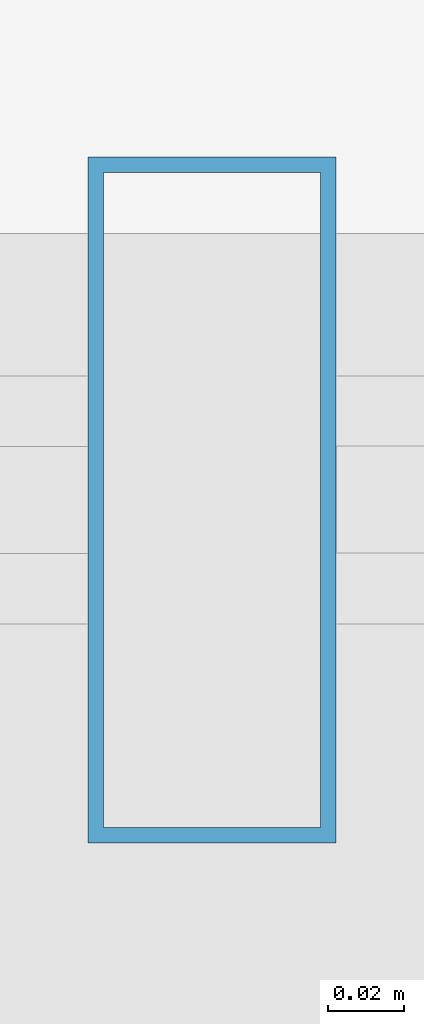
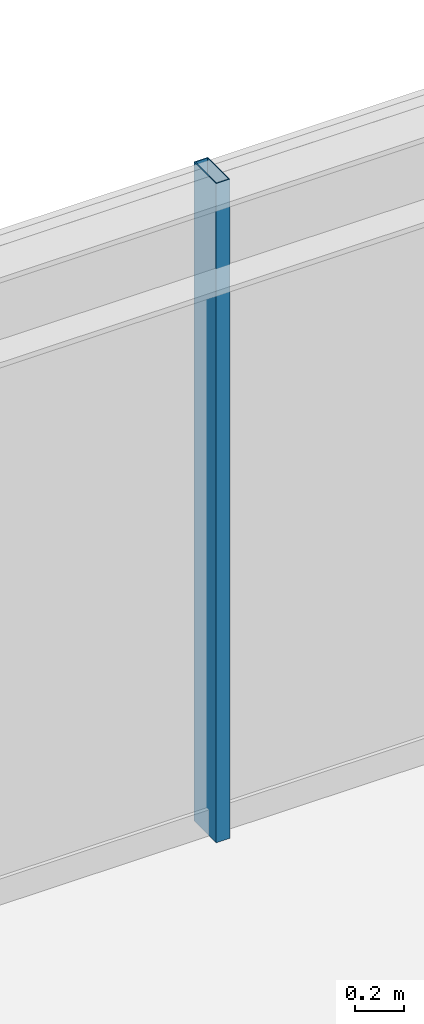
# One storey, part 21 of 32: 1 member, 1 element without a shape of its own.
"""IFC4 building model written with IfcOpenShell, lengths in metres."""

from ifc_helpers import new_model, si_unit, direction, frame, origin, origin_2d, place, context, subcontext, project, spatial, hollow_rectangle, extrude, source, transform, mapped, material, material_profile, profile_set, type_object, element, aggregate, save


model = new_model("IFC4")

# Units and contexts
model_context = context("Model", 3, precision=1e-05, world=origin(), true_north=direction((0.0, 1.0)))
body_context = subcontext(model_context, "Body", "Model", "MODEL_VIEW")
ifc_project = project(units=[si_unit("LENGTHUNIT", "METRE"), si_unit("AREAUNIT", "SQUARE_METRE"), si_unit("VOLUMEUNIT", "CUBIC_METRE"), si_unit("PLANEANGLEUNIT", "RADIAN"), si_unit("MASSUNIT", "GRAM", prefix="KILO")], contexts=[model_context])

# Site, building, storey
site_placement = place(None, origin())
site = spatial("IfcSite", under=ifc_project, at=site_placement, CompositionType="ELEMENT")
building_placement = place(site_placement, origin())
building = spatial("IfcBuilding", under=site, at=building_placement, Name="Nahalor Promenade Grand Hotel", CompositionType="ELEMENT")
storey_placement = place(building_placement, frame((0.0, 0.0, 196.449951171875)))
storey = spatial("IfcBuildingStorey", under=building, at=storey_placement, Name="L50", CompositionType="ELEMENT", Elevation=196.449951171875)

# Curtain wall, member
ifc_material = material(Name="Anodised Bronze Aluminium EN AW-6063 T6", Category="aluminium")
curtain_wall_type = type_object("IfcCurtainWallType", Name="CW2 Typical Hotel Flush Bronze Unitised Curtain Wall", PredefinedType="USERDEFINED", material=ifc_material)
curtain_wall_placement = place(storey_placement, origin())
curtain_wall = element("IfcCurtainWall", 1, at=curtain_wall_placement, inside=storey, type_object=curtain_wall_type, Name="L50 Curtain Wall CW-L50-N-3", ObjectType="UNITISED_CURTAIN_WALL", PredefinedType="USERDEFINED")
ifc_material_profile = material_profile(ifc_material, hollow_rectangle(XDim=0.065, YDim=0.18, WallThickness=0.004, at=origin_2d()), Name="CWM 65x180x4")
ifc_profile_set = profile_set([ifc_material_profile], Name="Anodised Bronze Aluminium EN AW-6063 T6")
member_type = type_object("IfcMemberType", Name="CWM2 Typical Bronze Mullion 65x180", PredefinedType="MULLION", material=ifc_profile_set)
shared_shape = source(origin(), body_context, "Body", "SweptSolid", [
    extrude(hollow_rectangle(XDim=0.065, YDim=0.18, WallThickness=0.004, at=origin_2d()), origin(), (0.0, 0.0, 1.0), 3.2900390625),
])
member_placement = place(storey_placement, frame((5.679931640625, 22.56005859375, 0.0), z_axis=(0.0, 0.0, 1.0), x_axis=(1.0, 0.0, 0.0)))
member = element("IfcMember", 2, at=member_placement, type_object=member_type, Name="CW-L50-N-3 Mullion 1", PredefinedType="MULLION", context=body_context, shape_type="MappedRepresentation", body=[
    mapped(shared_shape, transform((0.0, 0.0, 0.0), scale=1.0)),
])
aggregate(curtain_wall, [member])

save(model, "model.ifc")
